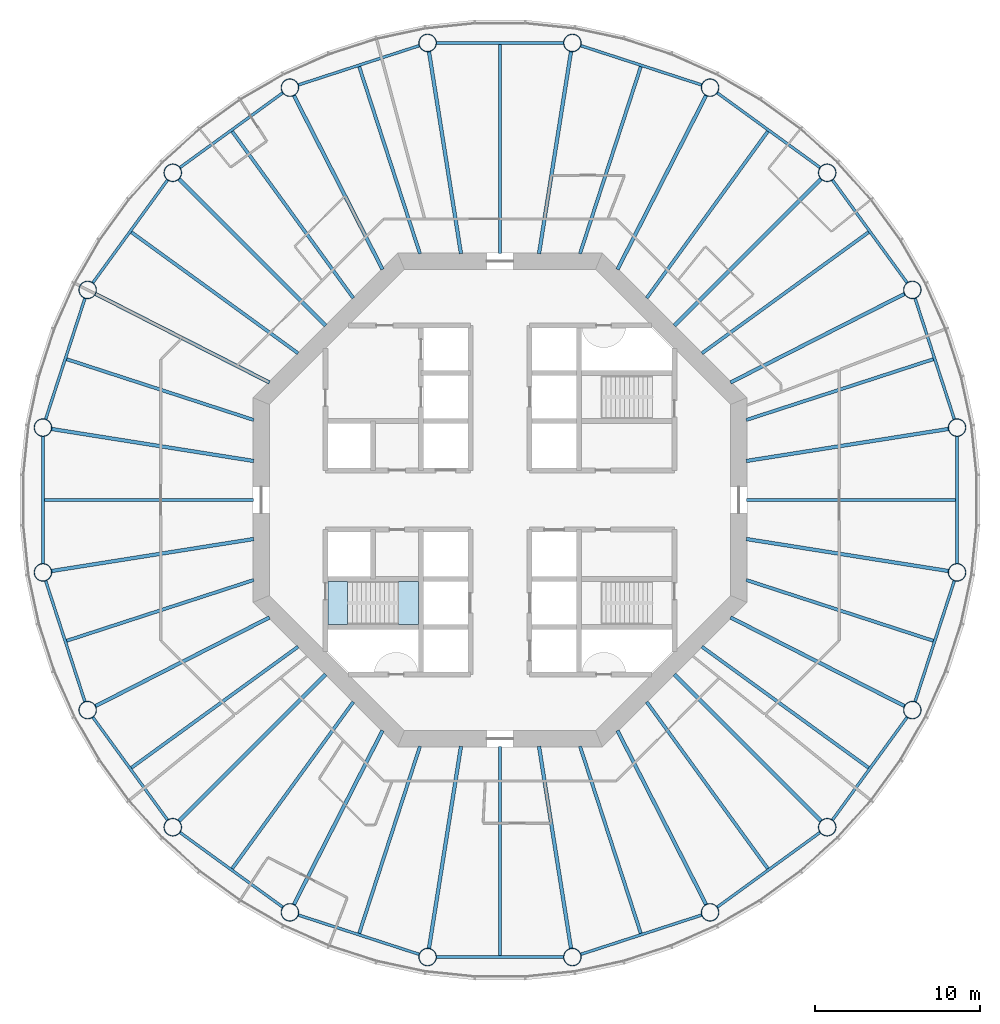
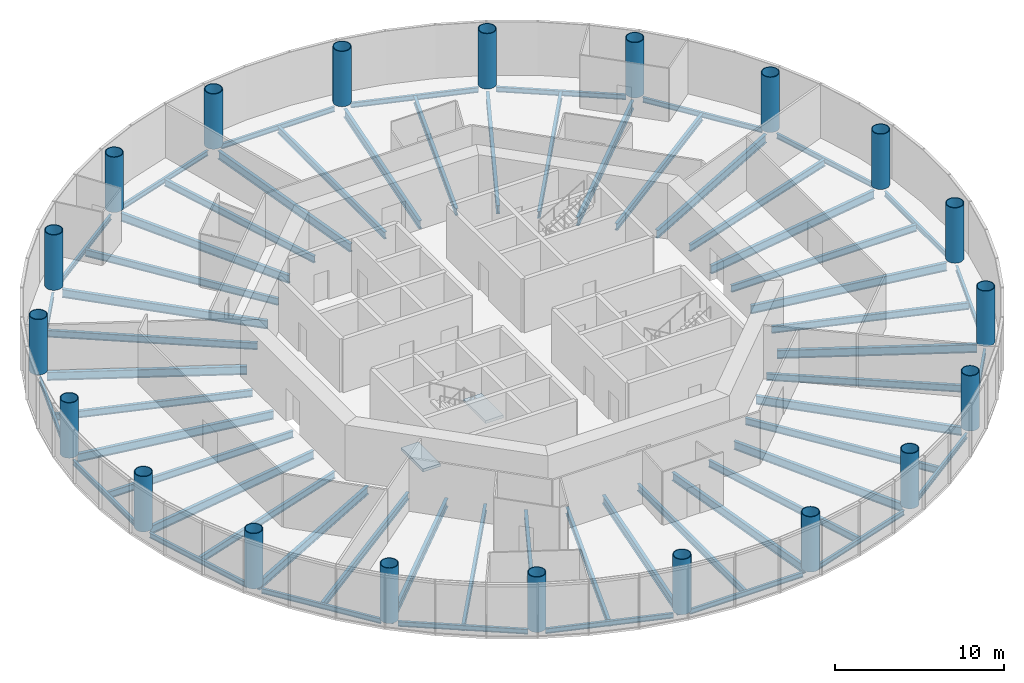
# One storey, part 1 of 12: 60 beams, 20 columns, 2 slabs, 1 element without a shape of its own.
"""IFC4 building model written with IfcOpenShell, lengths in metres."""

from ifc_helpers import new_model, si_unit, direction, frame, origin, origin_2d, place, context, subcontext, project, spatial, polyline, circle, hollow_circle, i_section, outline, extrude, material, layer, layer_set, material_profile, profile_set, type_object, element, aggregate, save


model = new_model("IFC4")

# Units and contexts
model_context = context("Model", 3, precision=1e-05, world=origin(), true_north=direction((0.0, 1.0)))
body_context = subcontext(model_context, "Body", "Model", "MODEL_VIEW")
ifc_project = project(units=[si_unit("LENGTHUNIT", "METRE"), si_unit("AREAUNIT", "SQUARE_METRE"), si_unit("VOLUMEUNIT", "CUBIC_METRE"), si_unit("PLANEANGLEUNIT", "RADIAN"), si_unit("MASSUNIT", "GRAM", prefix="KILO")], contexts=[model_context])

# Site, building, storey
site_placement = place(None, origin())
site = spatial("IfcSite", under=ifc_project, at=site_placement, CompositionType="ELEMENT")
building_placement = place(site_placement, origin())
building = spatial("IfcBuilding", under=site, at=building_placement, Name="Entoto Ring Tower", CompositionType="ELEMENT")
storey_placement = place(building_placement, frame((0.0, 0.0, 192.0)))
storey = spatial("IfcBuildingStorey", under=building, at=storey_placement, Name="L44", CompositionType="ELEMENT", Elevation=192.0)

# Columns
ifc_material_1 = material(Name="Steel S355", Category="steel")
ifc_material_profile_1 = material_profile(ifc_material_1, hollow_circle(Radius=0.550048828125, WallThickness=0.050048828125, at=origin_2d()), Name="CHS 1100 x 50")
ifc_material_2 = material(Name="Concrete C60/75", Category="concrete")
ifc_material_profile_2 = material_profile(ifc_material_2, circle(Radius=0.5, at=origin_2d()), Name="Concrete C60/75 infill")
ifc_profile_set_1 = profile_set([ifc_material_profile_1, ifc_material_profile_2], Name="Steel S355")
column_type = type_object("IfcColumnType", Name="Ring column 1100 x 50 concrete-filled tube", PredefinedType="COLUMN", material=ifc_profile_set_1)
for number, where, z_axis, x_axis, name in (
    (1, (117.754150390625, 84.395751953125, 0.0), (0.0, 0.0, 1.0), (1.0, 0.0, 0.0), "RC3 R01"),
    (2, (115.037353515625, 92.757080078125, 0.0), (0.0, 0.0, 1.0), (1.0, 0.0, 0.0), "RC3 R02"),
    (3, (109.86962890625, 99.86962890625, 0.0), (0.0, 0.0, 1.0), (1.0, 0.0, 0.0), "RC3 R03"),
    (4, (102.757080078125, 105.037353515625, 0.0), (0.0, 0.0, 1.0), (1.0, 0.0, 0.0), "RC3 R04"),
    (5, (94.395751953125, 107.754150390625, 0.0), (0.0, 0.0, 1.0), (1.0, 0.0, 0.0), "RC3 R05"),
    (6, (85.604248046875, 107.754150390625, 0.0), (0.0, 0.0, 1.0), (1.0, 0.0, 0.0), "RC3 R06"),
    (7, (77.242919921875, 105.037353515625, 0.0), (0.0, 0.0, 1.0), (1.0, 0.0, 0.0), "RC3 R07"),
    (8, (70.13037109375, 99.86962890625, 0.0), (0.0, 0.0, 1.0), (1.0, 0.0, 0.0), "RC3 R08"),
    (9, (64.962646484375, 92.757080078125, 0.0), (0.0, 0.0, 1.0), (1.0, 0.0, 0.0), "RC3 R09"),
    (10, (62.245849609375, 84.395751953125, 0.0), (0.0, 0.0, 1.0), (1.0, 0.0, 0.0), "RC3 R10"),
    (11, (62.245849609375, 75.604248046875, 0.0), (0.0, 0.0, 1.0), (1.0, 0.0, 0.0), "RC3 R11"),
    (12, (64.962646484375, 67.242919921875, 0.0), (0.0, 0.0, 1.0), (1.0, 0.0, 0.0), "RC3 R12"),
    (13, (70.13037109375, 60.13037109375, 0.0), (0.0, 0.0, 1.0), (1.0, 0.0, 0.0), "RC3 R13"),
    (14, (77.242919921875, 54.962646484375, 0.0), (0.0, 0.0, 1.0), (1.0, 0.0, 0.0), "RC3 R14"),
    (15, (85.604248046875, 52.245849609375, 0.0), (0.0, 0.0, 1.0), (1.0, 0.0, 0.0), "RC3 R15"),
    (16, (94.395751953125, 52.245849609375, 0.0), (0.0, 0.0, 1.0), (1.0, 0.0, 0.0), "RC3 R16"),
    (17, (102.757080078125, 54.962646484375, 0.0), (0.0, 0.0, 1.0), (1.0, 0.0, 0.0), "RC3 R17"),
    (18, (109.86962890625, 60.13037109375, 0.0), (0.0, 0.0, 1.0), (1.0, 0.0, 0.0), "RC3 R18"),
    (19, (115.037353515625, 67.242919921875, 0.0), (0.0, 0.0, 1.0), (1.0, 0.0, 0.0), "RC3 R19"),
    (20, (117.754150390625, 75.604248046875, 0.0), (0.0, 0.0, 1.0), (1.0, 0.0, 0.0), "RC3 R20"),
):
    element("IfcColumn", number, at=place(storey_placement, frame(where, z_axis=z_axis, x_axis=x_axis)), inside=storey, type_object=column_type, Name=name, PredefinedType="COLUMN", context=body_context, shape_type="SweptSolid", body=[
        extrude(hollow_circle(Radius=0.550048828125, WallThickness=0.050048828125, at=origin_2d()), origin(), (0.0, 0.0, 1.0), 4.0),
    ])

# Beams
ifc_material_3 = material(Name="Steel S355", Category="steel")
ifc_material_profile_3 = material_profile(ifc_material_3, i_section(OverallWidth=0.169921875, OverallDepth=0.360107421875, WebThickness=0.008056640625, FlangeThickness=0.0126953125, FilletRadius=0.01806640625, at=origin_2d()), Name="IPE 360")
ifc_profile_set_2 = profile_set([ifc_material_profile_3], Name="Steel S355")
beam_type_1 = type_object("IfcBeamType", Name="Edge beam IPE 360", PredefinedType="SPANDREL", material=ifc_profile_set_2)
for number, where, z_axis, x_axis, name in (
    (21, (117.59228515625, 84.8935546875, -0.330078125), (-0.309012656105, 0.951057925874, 0.0), (-0.951057925874, -0.309012656105, 0.0), "Edge beam L44 01"),
    (22, (114.729736328125, 93.180419921875, -0.330078125), (-0.587791153253, 0.809012707043, 0.0), (-0.809012707043, -0.587791153253, 0.0), "Edge beam L44 02"),
    (23, (109.4462890625, 100.17724609375, -0.330078125), (-0.809012707043, 0.587791153253, 0.0), (-0.587791153253, -0.809012707043, 0.0), "Edge beam L44 03"),
    (24, (102.259521484375, 105.198974609375, -0.330078125), (-0.951057925874, 0.309012656105, 0.0), (-0.309012656105, -0.951057925874, 0.0), "Edge beam L44 04"),
    (25, (93.87255859375, 107.754150390625, -0.330078125), (-1.0, 0.0, 0.0), (0.0, -1.0, 0.0), "Edge beam L44 05"),
    (26, (85.1064453125, 107.59228515625, -0.330078125), (-0.951057925874, -0.309012656105, 0.0), (0.309012656105, -0.951057925874, 0.0), "Edge beam L44 06"),
    (27, (76.819580078125, 104.729736328125, -0.330078125), (-0.809012707043, -0.587791153253, 0.0), (0.587791153253, -0.809012707043, 0.0), "Edge beam L44 07"),
    (28, (69.82275390625, 99.4462890625, -0.330078125), (-0.587791153253, -0.809012707043, 0.0), (0.809012707043, -0.587791153253, 0.0), "Edge beam L44 08"),
    (29, (64.801025390625, 92.259521484375, -0.330078125), (-0.309012656105, -0.951057925874, 0.0), (0.951057925874, -0.309012656105, 0.0), "Edge beam L44 09"),
    (30, (62.245849609375, 83.87255859375, -0.330078125), (0.0, -1.0, 0.0), (1.0, 0.0, 0.0), "Edge beam L44 10"),
    (31, (62.40771484375, 75.1064453125, -0.330078125), (0.309012656105, -0.951057925874, 0.0), (0.951057925874, 0.309012656105, 0.0), "Edge beam L44 11"),
    (32, (65.270263671875, 66.819580078125, -0.330078125), (0.587791153253, -0.809012707043, 0.0), (0.809012707043, 0.587791153253, 0.0), "Edge beam L44 12"),
    (33, (70.5537109375, 59.82275390625, -0.330078125), (0.809012707043, -0.587791153253, 0.0), (0.587791153253, 0.809012707043, 0.0), "Edge beam L44 13"),
    (34, (77.740478515625, 54.801025390625, -0.330078125), (0.951057925874, -0.309012656105, 0.0), (0.309012656105, 0.951057925874, 0.0), "Edge beam L44 14"),
    (35, (86.12744140625, 52.245849609375, -0.330078125), (1.0, 0.0, 0.0), (0.0, 1.0, 0.0), "Edge beam L44 15"),
    (36, (94.8935546875, 52.40771484375, -0.330078125), (0.951057925874, 0.309012656105, 0.0), (-0.309012656105, 0.951057925874, 0.0), "Edge beam L44 16"),
    (37, (103.180419921875, 55.270263671875, -0.330078125), (0.809012707043, 0.587791153253, 0.0), (-0.587791153253, 0.809012707043, 0.0), "Edge beam L44 17"),
    (38, (110.17724609375, 60.5537109375, -0.330078125), (0.587791153253, 0.809012707043, 0.0), (-0.809012707043, 0.587791153253, 0.0), "Edge beam L44 18"),
    (39, (115.198974609375, 67.740478515625, -0.330078125), (0.309012656105, 0.951057925874, 0.0), (-0.951057925874, 0.309012656105, 0.0), "Edge beam L44 19"),
    (40, (117.754150390625, 76.12744140625, -0.330078125), (0.0, 1.0, 0.0), (-1.0, 0.0, 0.0), "Edge beam L44 20"),
):
    element("IfcBeam", number, at=place(storey_placement, frame(where, z_axis=z_axis, x_axis=x_axis)), inside=storey, type_object=beam_type_1, Name=name, PredefinedType="SPANDREL", context=body_context, shape_type="SweptSolid", body=[
        extrude(i_section(OverallWidth=0.169921875, OverallDepth=0.360107421875, WebThickness=0.008056640625, FlangeThickness=0.0126953125, FilletRadius=0.01806640625, at=origin_2d()), origin(), (0.0, 0.0, 1.0), 7.7451171875),
    ])
ifc_material_4 = material(Name="Steel S355", Category="steel")
ifc_material_profile_4 = material_profile(ifc_material_4, i_section(OverallWidth=0.219970703125, OverallDepth=0.60009765625, WebThickness=0.011962890625, FlangeThickness=0.01904296875, FilletRadius=0.02392578125, at=origin_2d()), Name="IPE 600")
ifc_profile_set_3 = profile_set([ifc_material_profile_4], Name="Steel S355")
beam_type_2 = type_object("IfcBeamType", Name="Primary floor beam IPE 600", PredefinedType="BEAM", material=ifc_profile_set_3)
beam_1_placement = place(storey_placement, frame((104.963134765625, 82.369873046875, -0.449951171875), z_axis=(0.987687213789, 0.156441579247, 0.0), x_axis=(-0.156441579247, 0.987687213789, 0.0)))
element("IfcBeam", 41, at=beam_1_placement, inside=storey, type_object=beam_type_2, Name="Primary L44 R01", PredefinedType="BEAM", context=body_context, shape_type="SweptSolid", body=[
    extrude(i_section(OverallWidth=0.219970703125, OverallDepth=0.60009765625, WebThickness=0.011962890625, FlangeThickness=0.01904296875, FilletRadius=0.02392578125, at=origin_2d()), origin(), (0.0, 0.0, 1.0), 12.431640625),
])
beam_2_placement = place(storey_placement, frame((104.003173828125, 87.135009765625, -0.449951171875), z_axis=(0.891010444609, 0.453982805399, 0.0), x_axis=(-0.453982805399, 0.891010444609, 0.0)))
element("IfcBeam", 42, at=beam_2_placement, inside=storey, type_object=beam_type_2, Name="Primary L44 R02", PredefinedType="BEAM", context=body_context, shape_type="SweptSolid", body=[
    extrude(i_section(OverallWidth=0.219970703125, OverallDepth=0.60009765625, WebThickness=0.011962890625, FlangeThickness=0.01904296875, FilletRadius=0.02392578125, at=origin_2d()), origin(), (0.0, 0.0, 1.0), 11.864990234375),
])
beam_3_placement = place(storey_placement, frame((100.592529296875, 90.592529296875, -0.449951171875), z_axis=(0.707106781187, 0.707106781187, 0.0), x_axis=(-0.707106781187, 0.707106781187, 0.0)))
element("IfcBeam", 43, at=beam_3_placement, inside=storey, type_object=beam_type_2, Name="Primary L44 R03", PredefinedType="BEAM", context=body_context, shape_type="SweptSolid", body=[
    extrude(i_section(OverallWidth=0.219970703125, OverallDepth=0.60009765625, WebThickness=0.011962890625, FlangeThickness=0.01904296875, FilletRadius=0.02392578125, at=origin_2d()), origin(), (0.0, 0.0, 1.0), 12.601318359375),
])
beam_4_placement = place(storey_placement, frame((97.135009765625, 94.003173828125, -0.449951171875), z_axis=(0.453982805399, 0.891010444609, 0.0), x_axis=(-0.891010444609, 0.453982805399, 0.0)))
element("IfcBeam", 44, at=beam_4_placement, inside=storey, type_object=beam_type_2, Name="Primary L44 R04", PredefinedType="BEAM", context=body_context, shape_type="SweptSolid", body=[
    extrude(i_section(OverallWidth=0.219970703125, OverallDepth=0.60009765625, WebThickness=0.011962890625, FlangeThickness=0.01904296875, FilletRadius=0.02392578125, at=origin_2d()), origin(), (0.0, 0.0, 1.0), 11.864990234375),
])
for number, where, z_axis, x_axis, name in (
    (45, (92.369873046875, 94.963134765625, -0.449951171875), (0.156441579247, 0.987687213789, 0.0), (-0.987687213789, 0.156441579247, 0.0), "Primary L44 R05"),
    (46, (87.630126953125, 94.963134765625, -0.449951171875), (-0.156441579247, 0.987687213789, 0.0), (-0.987687213789, -0.156441579247, 0.0), "Primary L44 R06"),
):
    element("IfcBeam", number, at=place(storey_placement, frame(where, z_axis=z_axis, x_axis=x_axis)), inside=storey, type_object=beam_type_2, Name=name, PredefinedType="BEAM", context=body_context, shape_type="SweptSolid", body=[
        extrude(i_section(OverallWidth=0.219970703125, OverallDepth=0.60009765625, WebThickness=0.011962890625, FlangeThickness=0.01904296875, FilletRadius=0.02392578125, at=origin_2d()), origin(), (0.0, 0.0, 1.0), 12.431640625),
    ])
beam_5_placement = place(storey_placement, frame((82.864990234375, 94.003173828125, -0.449951171875), z_axis=(-0.453982805399, 0.891010444609, 0.0), x_axis=(-0.891010444609, -0.453982805399, 0.0)))
element("IfcBeam", 47, at=beam_5_placement, inside=storey, type_object=beam_type_2, Name="Primary L44 R07", PredefinedType="BEAM", context=body_context, shape_type="SweptSolid", body=[
    extrude(i_section(OverallWidth=0.219970703125, OverallDepth=0.60009765625, WebThickness=0.011962890625, FlangeThickness=0.01904296875, FilletRadius=0.02392578125, at=origin_2d()), origin(), (0.0, 0.0, 1.0), 11.864990234375),
])
beam_6_placement = place(storey_placement, frame((79.407470703125, 90.592529296875, -0.449951171875), z_axis=(-0.707106781187, 0.707106781187, 0.0), x_axis=(-0.707106781187, -0.707106781187, 0.0)))
element("IfcBeam", 48, at=beam_6_placement, inside=storey, type_object=beam_type_2, Name="Primary L44 R08", PredefinedType="BEAM", context=body_context, shape_type="SweptSolid", body=[
    extrude(i_section(OverallWidth=0.219970703125, OverallDepth=0.60009765625, WebThickness=0.011962890625, FlangeThickness=0.01904296875, FilletRadius=0.02392578125, at=origin_2d()), origin(), (0.0, 0.0, 1.0), 12.601318359375),
])
beam_7_placement = place(storey_placement, frame((75.996826171875, 87.135009765625, -0.449951171875), z_axis=(-0.891010444609, 0.453982805399, 0.0), x_axis=(-0.453982805399, -0.891010444609, 0.0)))
element("IfcBeam", 49, at=beam_7_placement, inside=storey, type_object=beam_type_2, Name="Primary L44 R09", PredefinedType="BEAM", context=body_context, shape_type="SweptSolid", body=[
    extrude(i_section(OverallWidth=0.219970703125, OverallDepth=0.60009765625, WebThickness=0.011962890625, FlangeThickness=0.01904296875, FilletRadius=0.02392578125, at=origin_2d()), origin(), (0.0, 0.0, 1.0), 11.864990234375),
])
for number, where, z_axis, x_axis, name in (
    (50, (75.036865234375, 82.369873046875, -0.449951171875), (-0.987687213789, 0.156441579247, 0.0), (-0.156441579247, -0.987687213789, 0.0), "Primary L44 R10"),
    (51, (75.036865234375, 77.630126953125, -0.449951171875), (-0.987687213789, -0.156441579247, 0.0), (0.156441579247, -0.987687213789, 0.0), "Primary L44 R11"),
):
    element("IfcBeam", number, at=place(storey_placement, frame(where, z_axis=z_axis, x_axis=x_axis)), inside=storey, type_object=beam_type_2, Name=name, PredefinedType="BEAM", context=body_context, shape_type="SweptSolid", body=[
        extrude(i_section(OverallWidth=0.219970703125, OverallDepth=0.60009765625, WebThickness=0.011962890625, FlangeThickness=0.01904296875, FilletRadius=0.02392578125, at=origin_2d()), origin(), (0.0, 0.0, 1.0), 12.431640625),
    ])
beam_8_placement = place(storey_placement, frame((75.996826171875, 72.864990234375, -0.449951171875), z_axis=(-0.891010444609, -0.453982805399, 0.0), x_axis=(0.453982805399, -0.891010444609, 0.0)))
element("IfcBeam", 52, at=beam_8_placement, inside=storey, type_object=beam_type_2, Name="Primary L44 R12", PredefinedType="BEAM", context=body_context, shape_type="SweptSolid", body=[
    extrude(i_section(OverallWidth=0.219970703125, OverallDepth=0.60009765625, WebThickness=0.011962890625, FlangeThickness=0.01904296875, FilletRadius=0.02392578125, at=origin_2d()), origin(), (0.0, 0.0, 1.0), 11.864990234375),
])
beam_9_placement = place(storey_placement, frame((79.407470703125, 69.407470703125, -0.449951171875), z_axis=(-0.707106781187, -0.707106781187, 0.0), x_axis=(0.707106781187, -0.707106781187, 0.0)))
element("IfcBeam", 53, at=beam_9_placement, inside=storey, type_object=beam_type_2, Name="Primary L44 R13", PredefinedType="BEAM", context=body_context, shape_type="SweptSolid", body=[
    extrude(i_section(OverallWidth=0.219970703125, OverallDepth=0.60009765625, WebThickness=0.011962890625, FlangeThickness=0.01904296875, FilletRadius=0.02392578125, at=origin_2d()), origin(), (0.0, 0.0, 1.0), 12.601318359375),
])
beam_10_placement = place(storey_placement, frame((82.864990234375, 65.996826171875, -0.449951171875), z_axis=(-0.453982805399, -0.891010444609, 0.0), x_axis=(0.891010444609, -0.453982805399, 0.0)))
element("IfcBeam", 54, at=beam_10_placement, inside=storey, type_object=beam_type_2, Name="Primary L44 R14", PredefinedType="BEAM", context=body_context, shape_type="SweptSolid", body=[
    extrude(i_section(OverallWidth=0.219970703125, OverallDepth=0.60009765625, WebThickness=0.011962890625, FlangeThickness=0.01904296875, FilletRadius=0.02392578125, at=origin_2d()), origin(), (0.0, 0.0, 1.0), 11.864990234375),
])
for number, where, z_axis, x_axis, name in (
    (55, (87.630126953125, 65.036865234375, -0.449951171875), (-0.156441579247, -0.987687213789, 0.0), (0.987687213789, -0.156441579247, 0.0), "Primary L44 R15"),
    (56, (92.369873046875, 65.036865234375, -0.449951171875), (0.156441579247, -0.987687213789, 0.0), (0.987687213789, 0.156441579247, 0.0), "Primary L44 R16"),
):
    element("IfcBeam", number, at=place(storey_placement, frame(where, z_axis=z_axis, x_axis=x_axis)), inside=storey, type_object=beam_type_2, Name=name, PredefinedType="BEAM", context=body_context, shape_type="SweptSolid", body=[
        extrude(i_section(OverallWidth=0.219970703125, OverallDepth=0.60009765625, WebThickness=0.011962890625, FlangeThickness=0.01904296875, FilletRadius=0.02392578125, at=origin_2d()), origin(), (0.0, 0.0, 1.0), 12.431640625),
    ])
beam_11_placement = place(storey_placement, frame((97.135009765625, 65.996826171875, -0.449951171875), z_axis=(0.453982805399, -0.891010444609, 0.0), x_axis=(0.891010444609, 0.453982805399, 0.0)))
element("IfcBeam", 57, at=beam_11_placement, inside=storey, type_object=beam_type_2, Name="Primary L44 R17", PredefinedType="BEAM", context=body_context, shape_type="SweptSolid", body=[
    extrude(i_section(OverallWidth=0.219970703125, OverallDepth=0.60009765625, WebThickness=0.011962890625, FlangeThickness=0.01904296875, FilletRadius=0.02392578125, at=origin_2d()), origin(), (0.0, 0.0, 1.0), 11.864990234375),
])
beam_12_placement = place(storey_placement, frame((100.592529296875, 69.407470703125, -0.449951171875), z_axis=(0.707106781187, -0.707106781187, 0.0), x_axis=(0.707106781187, 0.707106781187, 0.0)))
element("IfcBeam", 58, at=beam_12_placement, inside=storey, type_object=beam_type_2, Name="Primary L44 R18", PredefinedType="BEAM", context=body_context, shape_type="SweptSolid", body=[
    extrude(i_section(OverallWidth=0.219970703125, OverallDepth=0.60009765625, WebThickness=0.011962890625, FlangeThickness=0.01904296875, FilletRadius=0.02392578125, at=origin_2d()), origin(), (0.0, 0.0, 1.0), 12.601318359375),
])
beam_13_placement = place(storey_placement, frame((104.003173828125, 72.864990234375, -0.449951171875), z_axis=(0.891010444609, -0.453982805399, 0.0), x_axis=(0.453982805399, 0.891010444609, 0.0)))
element("IfcBeam", 59, at=beam_13_placement, inside=storey, type_object=beam_type_2, Name="Primary L44 R19", PredefinedType="BEAM", context=body_context, shape_type="SweptSolid", body=[
    extrude(i_section(OverallWidth=0.219970703125, OverallDepth=0.60009765625, WebThickness=0.011962890625, FlangeThickness=0.01904296875, FilletRadius=0.02392578125, at=origin_2d()), origin(), (0.0, 0.0, 1.0), 11.864990234375),
])
beam_14_placement = place(storey_placement, frame((104.963134765625, 77.630126953125, -0.449951171875), z_axis=(0.987687213789, -0.156441579247, 0.0), x_axis=(0.156441579247, 0.987687213789, 0.0)))
element("IfcBeam", 60, at=beam_14_placement, inside=storey, type_object=beam_type_2, Name="Primary L44 R20", PredefinedType="BEAM", context=body_context, shape_type="SweptSolid", body=[
    extrude(i_section(OverallWidth=0.219970703125, OverallDepth=0.60009765625, WebThickness=0.011962890625, FlangeThickness=0.01904296875, FilletRadius=0.02392578125, at=origin_2d()), origin(), (0.0, 0.0, 1.0), 12.431640625),
])
ifc_material_5 = material(Name="Steel S355", Category="steel")
ifc_material_profile_5 = material_profile(ifc_material_5, i_section(OverallWidth=0.199951171875, OverallDepth=0.5, WebThickness=0.01025390625, FlangeThickness=0.01611328125, FilletRadius=0.02099609375, at=origin_2d()), Name="IPE 500")
ifc_profile_set_4 = profile_set([ifc_material_profile_5], Name="Steel S355")
beam_type_3 = type_object("IfcBeamType", Name="Secondary floor beam IPE 500", PredefinedType="JOIST", material=ifc_profile_set_4)
beam_15_placement = place(storey_placement, frame((104.9501953125, 84.857666015625, -0.39990234375), z_axis=(0.951056587506, 0.30901677521, 0.0), x_axis=(-0.30901677521, 0.951056587506, 0.0)))
element("IfcBeam", 61, at=beam_15_placement, inside=storey, type_object=beam_type_3, Name="Secondary beam L44 01", PredefinedType="JOIST", context=body_context, shape_type="SweptSolid", body=[
    extrude(i_section(OverallWidth=0.199951171875, OverallDepth=0.5, WebThickness=0.01025390625, FlangeThickness=0.01611328125, FilletRadius=0.02099609375, at=origin_2d()), origin(), (0.0, 0.0, 1.0), 11.94970703125),
])
for number, where, z_axis, x_axis, name in (
    (62, (102.257568359375, 88.905517578125, -0.39990234375), (0.80901431041, 0.587788946436, 0.0), (-0.587788946436, 0.80901431041, 0.0), "Secondary beam L44 02"),
    (63, (98.905517578125, 92.257568359375, -0.39990234375), (0.587788946436, 0.80901431041, 0.0), (-0.80901431041, 0.587788946436, 0.0), "Secondary beam L44 03"),
):
    element("IfcBeam", number, at=place(storey_placement, frame(where, z_axis=z_axis, x_axis=x_axis)), inside=storey, type_object=beam_type_3, Name=name, PredefinedType="JOIST", context=body_context, shape_type="SweptSolid", body=[
        extrude(i_section(OverallWidth=0.199951171875, OverallDepth=0.5, WebThickness=0.01025390625, FlangeThickness=0.01611328125, FilletRadius=0.02099609375, at=origin_2d()), origin(), (0.0, 0.0, 1.0), 12.51806640625),
    ])
beam_16_placement = place(storey_placement, frame((94.857666015625, 94.9501953125, -0.39990234375), z_axis=(0.30901677521, 0.951056587506, 0.0), x_axis=(-0.951056587506, 0.30901677521, 0.0)))
element("IfcBeam", 64, at=beam_16_placement, inside=storey, type_object=beam_type_3, Name="Secondary beam L44 04", PredefinedType="JOIST", context=body_context, shape_type="SweptSolid", body=[
    extrude(i_section(OverallWidth=0.199951171875, OverallDepth=0.5, WebThickness=0.01025390625, FlangeThickness=0.01611328125, FilletRadius=0.02099609375, at=origin_2d()), origin(), (0.0, 0.0, 1.0), 11.94970703125),
])
beam_17_placement = place(storey_placement, frame((90.0, 94.97998046875, -0.39990234375), z_axis=(0.0, 1.0, 0.0), x_axis=(-1.0, 0.0, 0.0)))
element("IfcBeam", 65, at=beam_17_placement, inside=storey, type_object=beam_type_3, Name="Secondary beam L44 05", PredefinedType="JOIST", context=body_context, shape_type="SweptSolid", body=[
    extrude(i_section(OverallWidth=0.199951171875, OverallDepth=0.5, WebThickness=0.01025390625, FlangeThickness=0.01611328125, FilletRadius=0.02099609375, at=origin_2d()), origin(), (0.0, 0.0, 1.0), 12.68896484375),
])
beam_18_placement = place(storey_placement, frame((85.142333984375, 94.9501953125, -0.39990234375), z_axis=(-0.30901677521, 0.951056587506, 0.0), x_axis=(-0.951056587506, -0.30901677521, 0.0)))
element("IfcBeam", 66, at=beam_18_placement, inside=storey, type_object=beam_type_3, Name="Secondary beam L44 06", PredefinedType="JOIST", context=body_context, shape_type="SweptSolid", body=[
    extrude(i_section(OverallWidth=0.199951171875, OverallDepth=0.5, WebThickness=0.01025390625, FlangeThickness=0.01611328125, FilletRadius=0.02099609375, at=origin_2d()), origin(), (0.0, 0.0, 1.0), 11.94970703125),
])
for number, where, z_axis, x_axis, name in (
    (67, (81.094482421875, 92.257568359375, -0.39990234375), (-0.587788946436, 0.80901431041, 0.0), (-0.80901431041, -0.587788946436, 0.0), "Secondary beam L44 07"),
    (68, (77.742431640625, 88.905517578125, -0.39990234375), (-0.80901431041, 0.587788946436, 0.0), (-0.587788946436, -0.80901431041, 0.0), "Secondary beam L44 08"),
):
    element("IfcBeam", number, at=place(storey_placement, frame(where, z_axis=z_axis, x_axis=x_axis)), inside=storey, type_object=beam_type_3, Name=name, PredefinedType="JOIST", context=body_context, shape_type="SweptSolid", body=[
        extrude(i_section(OverallWidth=0.199951171875, OverallDepth=0.5, WebThickness=0.01025390625, FlangeThickness=0.01611328125, FilletRadius=0.02099609375, at=origin_2d()), origin(), (0.0, 0.0, 1.0), 12.51806640625),
    ])
beam_19_placement = place(storey_placement, frame((75.0498046875, 84.857666015625, -0.39990234375), z_axis=(-0.951056587506, 0.30901677521, 0.0), x_axis=(-0.30901677521, -0.951056587506, 0.0)))
element("IfcBeam", 69, at=beam_19_placement, inside=storey, type_object=beam_type_3, Name="Secondary beam L44 09", PredefinedType="JOIST", context=body_context, shape_type="SweptSolid", body=[
    extrude(i_section(OverallWidth=0.199951171875, OverallDepth=0.5, WebThickness=0.01025390625, FlangeThickness=0.01611328125, FilletRadius=0.02099609375, at=origin_2d()), origin(), (0.0, 0.0, 1.0), 11.94970703125),
])
beam_20_placement = place(storey_placement, frame((75.02001953125, 80.0, -0.39990234375), z_axis=(-1.0, 0.0, 0.0), x_axis=(0.0, -1.0, 0.0)))
element("IfcBeam", 70, at=beam_20_placement, inside=storey, type_object=beam_type_3, Name="Secondary beam L44 10", PredefinedType="JOIST", context=body_context, shape_type="SweptSolid", body=[
    extrude(i_section(OverallWidth=0.199951171875, OverallDepth=0.5, WebThickness=0.01025390625, FlangeThickness=0.01611328125, FilletRadius=0.02099609375, at=origin_2d()), origin(), (0.0, 0.0, 1.0), 12.68896484375),
])
beam_21_placement = place(storey_placement, frame((75.0498046875, 75.142333984375, -0.39990234375), z_axis=(-0.951056587506, -0.30901677521, 0.0), x_axis=(0.30901677521, -0.951056587506, 0.0)))
element("IfcBeam", 71, at=beam_21_placement, inside=storey, type_object=beam_type_3, Name="Secondary beam L44 11", PredefinedType="JOIST", context=body_context, shape_type="SweptSolid", body=[
    extrude(i_section(OverallWidth=0.199951171875, OverallDepth=0.5, WebThickness=0.01025390625, FlangeThickness=0.01611328125, FilletRadius=0.02099609375, at=origin_2d()), origin(), (0.0, 0.0, 1.0), 11.94970703125),
])
for number, where, z_axis, x_axis, name in (
    (72, (77.742431640625, 71.094482421875, -0.39990234375), (-0.80901431041, -0.587788946436, 0.0), (0.587788946436, -0.80901431041, 0.0), "Secondary beam L44 12"),
    (73, (81.094482421875, 67.742431640625, -0.39990234375), (-0.587788946436, -0.80901431041, 0.0), (0.80901431041, -0.587788946436, 0.0), "Secondary beam L44 13"),
):
    element("IfcBeam", number, at=place(storey_placement, frame(where, z_axis=z_axis, x_axis=x_axis)), inside=storey, type_object=beam_type_3, Name=name, PredefinedType="JOIST", context=body_context, shape_type="SweptSolid", body=[
        extrude(i_section(OverallWidth=0.199951171875, OverallDepth=0.5, WebThickness=0.01025390625, FlangeThickness=0.01611328125, FilletRadius=0.02099609375, at=origin_2d()), origin(), (0.0, 0.0, 1.0), 12.51806640625),
    ])
beam_22_placement = place(storey_placement, frame((85.142333984375, 65.0498046875, -0.39990234375), z_axis=(-0.30901677521, -0.951056587506, 0.0), x_axis=(0.951056587506, -0.30901677521, 0.0)))
element("IfcBeam", 74, at=beam_22_placement, inside=storey, type_object=beam_type_3, Name="Secondary beam L44 14", PredefinedType="JOIST", context=body_context, shape_type="SweptSolid", body=[
    extrude(i_section(OverallWidth=0.199951171875, OverallDepth=0.5, WebThickness=0.01025390625, FlangeThickness=0.01611328125, FilletRadius=0.02099609375, at=origin_2d()), origin(), (0.0, 0.0, 1.0), 11.94970703125),
])
beam_23_placement = place(storey_placement, frame((90.0, 65.02001953125, -0.39990234375), z_axis=(0.0, -1.0, 0.0), x_axis=(1.0, 0.0, 0.0)))
element("IfcBeam", 75, at=beam_23_placement, inside=storey, type_object=beam_type_3, Name="Secondary beam L44 15", PredefinedType="JOIST", context=body_context, shape_type="SweptSolid", body=[
    extrude(i_section(OverallWidth=0.199951171875, OverallDepth=0.5, WebThickness=0.01025390625, FlangeThickness=0.01611328125, FilletRadius=0.02099609375, at=origin_2d()), origin(), (0.0, 0.0, 1.0), 12.68896484375),
])
beam_24_placement = place(storey_placement, frame((94.857666015625, 65.0498046875, -0.39990234375), z_axis=(0.30901677521, -0.951056587506, 0.0), x_axis=(0.951056587506, 0.30901677521, 0.0)))
element("IfcBeam", 76, at=beam_24_placement, inside=storey, type_object=beam_type_3, Name="Secondary beam L44 16", PredefinedType="JOIST", context=body_context, shape_type="SweptSolid", body=[
    extrude(i_section(OverallWidth=0.199951171875, OverallDepth=0.5, WebThickness=0.01025390625, FlangeThickness=0.01611328125, FilletRadius=0.02099609375, at=origin_2d()), origin(), (0.0, 0.0, 1.0), 11.94970703125),
])
for number, where, z_axis, x_axis, name in (
    (77, (98.905517578125, 67.742431640625, -0.39990234375), (0.587788946436, -0.80901431041, 0.0), (0.80901431041, 0.587788946436, 0.0), "Secondary beam L44 17"),
    (78, (102.257568359375, 71.094482421875, -0.39990234375), (0.80901431041, -0.587788946436, 0.0), (0.587788946436, 0.80901431041, 0.0), "Secondary beam L44 18"),
):
    element("IfcBeam", number, at=place(storey_placement, frame(where, z_axis=z_axis, x_axis=x_axis)), inside=storey, type_object=beam_type_3, Name=name, PredefinedType="JOIST", context=body_context, shape_type="SweptSolid", body=[
        extrude(i_section(OverallWidth=0.199951171875, OverallDepth=0.5, WebThickness=0.01025390625, FlangeThickness=0.01611328125, FilletRadius=0.02099609375, at=origin_2d()), origin(), (0.0, 0.0, 1.0), 12.51806640625),
    ])
beam_25_placement = place(storey_placement, frame((104.9501953125, 75.142333984375, -0.39990234375), z_axis=(0.951056587506, -0.30901677521, 0.0), x_axis=(0.30901677521, 0.951056587506, 0.0)))
element("IfcBeam", 79, at=beam_25_placement, inside=storey, type_object=beam_type_3, Name="Secondary beam L44 19", PredefinedType="JOIST", context=body_context, shape_type="SweptSolid", body=[
    extrude(i_section(OverallWidth=0.199951171875, OverallDepth=0.5, WebThickness=0.01025390625, FlangeThickness=0.01611328125, FilletRadius=0.02099609375, at=origin_2d()), origin(), (0.0, 0.0, 1.0), 11.94970703125),
])
beam_26_placement = place(storey_placement, frame((104.97998046875, 80.0, -0.39990234375), z_axis=(1.0, 0.0, 0.0), x_axis=(0.0, 1.0, 0.0)))
element("IfcBeam", 80, at=beam_26_placement, inside=storey, type_object=beam_type_3, Name="Secondary beam L44 20", PredefinedType="JOIST", context=body_context, shape_type="SweptSolid", body=[
    extrude(i_section(OverallWidth=0.199951171875, OverallDepth=0.5, WebThickness=0.01025390625, FlangeThickness=0.01611328125, FilletRadius=0.02099609375, at=origin_2d()), origin(), (0.0, 0.0, 1.0), 12.68896484375),
])

# Stair, slabs
ifc_material_6 = material(Name="Concrete C40/50", Category="concrete")
stair_type = type_object("IfcStairType", Name="Exit stair 1200 mm dog-leg reinforced concrete", PredefinedType="HALF_TURN_STAIR", material=ifc_material_6)
stair_placement = place(storey_placement, origin())
stair = element("IfcStair", 81, at=stair_placement, inside=storey, type_object=stair_type, Name="Exit stair 2", PredefinedType="HALF_TURN_STAIR")
ifc_material_7 = material(Name="Concrete C40/50", Category="concrete")
ifc_layer = layer(ifc_material_7, 0.199951171875)
ifc_layer_set = layer_set([ifc_layer], Name="Concrete C40/50")
slab_type = type_object("IfcSlabType", Name="Stair landing 200 mm reinforced concrete", PredefinedType="LANDING", material=ifc_layer_set)
slab_1_placement = place(storey_placement, frame((0.0, 0.0, -0.199951171875)))
slab_1 = element("IfcSlab", 82, at=slab_1_placement, type_object=slab_type, Name="ST2 landing 1", PredefinedType="LANDING", context=body_context, shape_type="SweptSolid", body=[
    extrude(outline(polyline([(80.75, 72.449951171875), (80.75, 75.050048828125), (79.550048828125, 75.050048828125), (79.550048828125, 72.449951171875), (80.75, 72.449951171875)])), origin(), (0.0, 0.0, 1.0), 0.199951171875),
])
slab_2_placement = place(storey_placement, frame((0.0, 0.0, 1.800048828125)))
slab_2 = element("IfcSlab", 83, at=slab_2_placement, type_object=slab_type, Name="ST2 landing 2", PredefinedType="LANDING", context=body_context, shape_type="SweptSolid", body=[
    extrude(outline(polyline([(83.830078125, 72.449951171875), (85.050048828125, 72.449951171875), (85.050048828125, 75.050048828125), (83.830078125, 75.050048828125), (83.830078125, 72.449951171875)])), origin(), (0.0, 0.0, 1.0), 0.199951171875),
])
aggregate(stair, [slab_1, slab_2])

save(model, "model.ifc")
